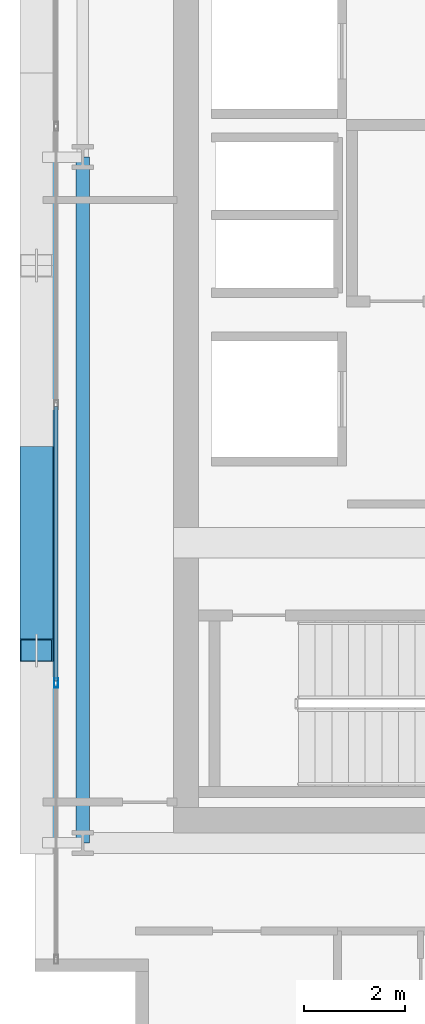
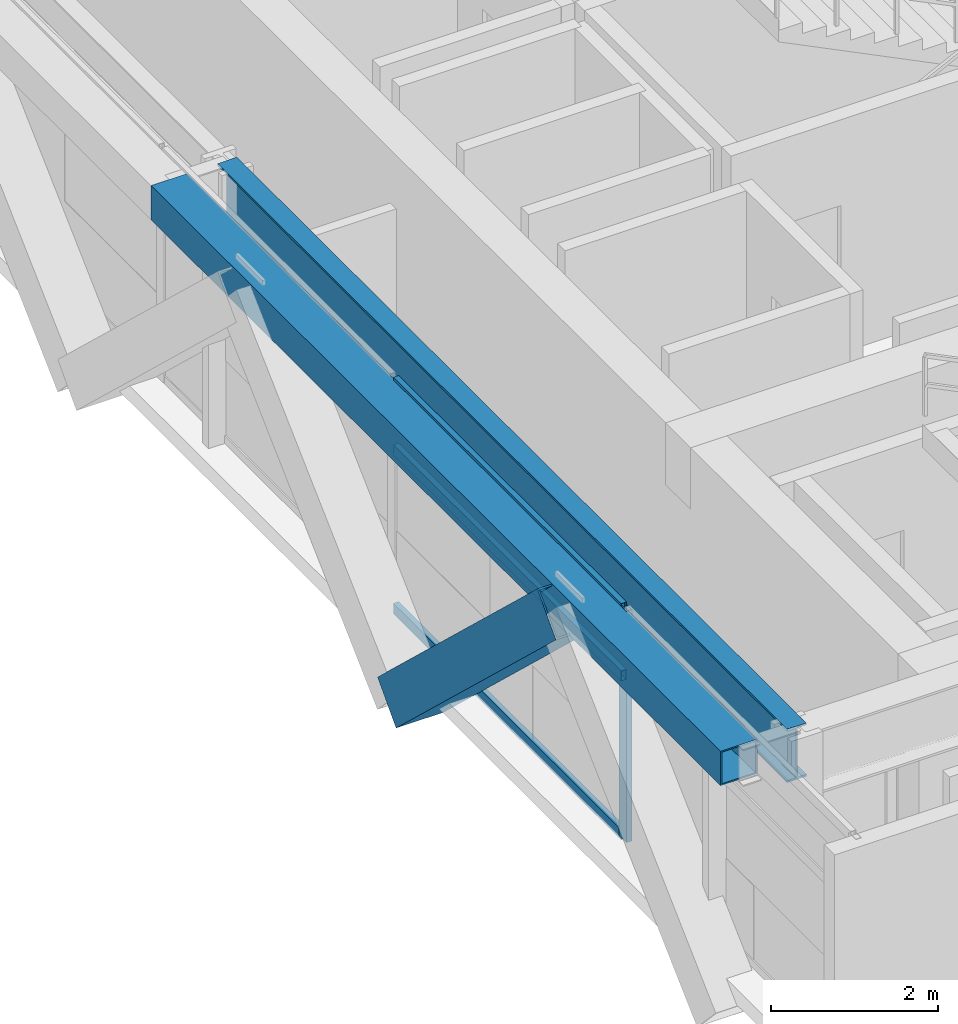
# One storey, part 4 of 31: 5 members, 2 beams, 1 element without a shape of its own.
"""IFC4 building model written with IfcOpenShell, lengths in metres."""

from ifc_helpers import new_model, si_unit, direction, frame, origin, origin_2d, place, context, subcontext, project, spatial, hollow_rectangle, i_section, extrude, source, transform, mapped, material, layer, layer_set, material_profile, profile_set, type_object, element, aggregate, save


model = new_model("IFC4")

# Units and contexts
model_context = context("Model", 3, precision=1e-05, world=origin(), true_north=direction((0.0, 1.0)))
body_context = subcontext(model_context, "Body", "Model", "MODEL_VIEW")
ifc_project = project(units=[si_unit("LENGTHUNIT", "METRE"), si_unit("AREAUNIT", "SQUARE_METRE"), si_unit("VOLUMEUNIT", "CUBIC_METRE"), si_unit("PLANEANGLEUNIT", "RADIAN"), si_unit("MASSUNIT", "GRAM", prefix="KILO")], contexts=[model_context])

# Site, building, storey
site_placement = place(None, origin())
site = spatial("IfcSite", under=ifc_project, at=site_placement, CompositionType="ELEMENT")
building_placement = place(site_placement, origin())
building = spatial("IfcBuilding", under=site, at=building_placement, Name="Ocotamira Hotel", CompositionType="ELEMENT")
storey_placement = place(building_placement, frame((0.0, 0.0, 202.800048828125)))
storey = spatial("IfcBuildingStorey", under=building, at=storey_placement, Name="L51", CompositionType="ELEMENT", Elevation=202.800048828125)

# Beams
ifc_material_1 = material(Name="Steel ASTM A992 Grade 50", Category="steel")
ifc_material_profile_1 = material_profile(ifc_material_1, i_section(OverallWidth=0.26611328125, OverallDepth=0.779052734375, WebThickness=0.0166015625, FlangeThickness=0.030029296875, FilletRadius=0.01806640625, at=origin_2d()), Name="W30X148")
ifc_profile_set_1 = profile_set([ifc_material_profile_1], Name="Steel ASTM A992 Grade 50")
beam_type_1 = type_object("IfcBeamType", Name="BM-GIRD-W30X148", PredefinedType="BEAM", material=ifc_profile_set_1)
shared_shape_1 = source(origin(), body_context, "Body", "SweptSolid", [
    extrude(i_section(OverallWidth=0.26611328125, OverallDepth=0.779052734375, WebThickness=0.0166015625, FlangeThickness=0.030029296875, FilletRadius=0.01806640625, at=origin_2d()), origin(), (0.0, 0.0, 1.0), 13.599853515625),
])
beam_1_placement = place(storey_placement, frame((8.949951171875, 14.550048828125, 2.98046875), z_axis=(0.0, 1.0, 0.0), x_axis=(-1.0, 0.0, 0.0)))
element("IfcBeam", 1, at=beam_1_placement, inside=storey, type_object=beam_type_1, Name="L51 Beam X8.95 Y14.55-28.15", PredefinedType="BEAM", context=body_context, shape_type="MappedRepresentation", body=[
    mapped(shared_shape_1, transform((0.0, 0.0, 0.0), scale=1.0)),
])
ifc_material_2 = material(Name="Steel ASTM A500 Grade C", Category="steel")
ifc_material_profile_2 = material_profile(ifc_material_2, hollow_rectangle(XDim=0.5, YDim=0.5, WallThickness=0.02001953125, at=origin_2d()), Name="HSS500X500X20")
ifc_profile_set_2 = profile_set([ifc_material_profile_2], Name="Steel ASTM A500 Grade C")
beam_type_2 = type_object("IfcBeamType", Name="BM-SPAN-HSS500", PredefinedType="USERDEFINED", material=ifc_profile_set_2)
shared_shape_2 = source(origin(), body_context, "Body", "SweptSolid", [
    extrude(hollow_rectangle(XDim=0.5, YDim=0.5, WallThickness=0.02001953125, at=origin_2d()), origin(), (0.0, 0.0, 1.0), 13.599853515625),
])
beam_2_placement = place(storey_placement, frame((8.14990234375, 14.550048828125, 3.119873046875), z_axis=(0.0, 1.0, 0.0), x_axis=(-1.0, 0.0, 0.0)))
element("IfcBeam", 2, at=beam_2_placement, inside=storey, type_object=beam_type_2, Name="L51 Edge Spandrel W Y14.55-28.15", ObjectType="SPANDREL", PredefinedType="USERDEFINED", context=body_context, shape_type="MappedRepresentation", body=[
    mapped(shared_shape_2, transform((0.0, 0.0, 0.0), scale=1.0)),
])

# Member
ifc_material_3 = material(Name="Pale-metal coated steel ASTM A913 Grade 65", Category="steel")
ifc_material_profile_3 = material_profile(ifc_material_3, hollow_rectangle(XDim=0.64990234375, YDim=0.64990234375, WallThickness=0.02197265625, at=origin_2d()), Name="BOX650X650X22")
ifc_profile_set_3 = profile_set([ifc_material_profile_3], Name="Pale-metal coated steel ASTM A913 Grade 65")
member_type_1 = type_object("IfcMemberType", Name="MEM-EXO-BOX650", PredefinedType="BRACE", material=ifc_profile_set_3)
shared_shape_3 = source(origin(), body_context, "Body", "SweptSolid", [
    extrude(hollow_rectangle(XDim=0.64990234375, YDim=0.64990234375, WallThickness=0.02197265625, at=origin_2d()), origin(), (0.0, 0.0, 1.0), 5.24658203125),
])
member_1_placement = place(storey_placement, frame((8.030029296875, 22.183349609375, -0.47998046875), z_axis=(0.0, -0.72746596067, 0.686143772154), x_axis=(1.0, 0.0, 0.0)))
element("IfcMember", 3, at=member_1_placement, inside=storey, type_object=member_type_1, Name="L51 Exoskeleton Diagrid W0.2", PredefinedType="BRACE", context=body_context, shape_type="MappedRepresentation", body=[
    mapped(shared_shape_3, transform((0.0, 0.0, 0.0), scale=1.0)),
])

# Curtain wall, members
ifc_material_4 = material(Name="Anodised pale-metal aluminium and solar glass", Category="aluminium")
ifc_layer = layer(ifc_material_4, 0.199951171875)
ifc_layer_set = layer_set([ifc_layer], Name="Anodised pale-metal aluminium and solar glass")
curtain_wall_type = type_object("IfcCurtainWallType", Name="CW-SYS4-Z3", PredefinedType="NOTDEFINED", material=ifc_layer_set)
curtain_wall_placement = place(storey_placement, origin())
curtain_wall = element("IfcCurtainWall", 4, at=curtain_wall_placement, inside=storey, type_object=curtain_wall_type, Name="L51 Curtain Wall CW-4 CW-L51-W", PredefinedType="NOTDEFINED")
ifc_material_5 = material(Name="Anodised pale-metal aluminium 6063-T6", Category="aluminium")
ifc_material_profile_4 = material_profile(ifc_material_5, hollow_rectangle(XDim=0.074951171875, YDim=0.14990234375, WallThickness=0.006103515625, at=origin_2d()), Name="HSS150X75X6")
ifc_profile_set_4 = profile_set([ifc_material_profile_4], Name="Anodised pale-metal aluminium 6063-T6")
member_type_2 = type_object("IfcMemberType", Name="CWT-150X75", PredefinedType="USERDEFINED", material=ifc_profile_set_4)
shared_shape_4 = source(origin(), body_context, "Body", "SweptSolid", [
    extrude(hollow_rectangle(XDim=0.074951171875, YDim=0.14990234375, WallThickness=0.006103515625, at=origin_2d()), origin(), (0.0, 0.0, 1.0), 5.43994140625),
])
member_2_placement = place(storey_placement, frame((8.419921875, 17.760009765625, 0.037353515625), z_axis=(0.0, 1.0, 0.0), x_axis=(-1.0, 0.0, 0.0)))
member_2 = element("IfcMember", 5, at=member_2_placement, type_object=member_type_2, Name="CW-4 transom 2.1", ObjectType="TRANSOM", PredefinedType="USERDEFINED", context=body_context, shape_type="MappedRepresentation", body=[
    mapped(shared_shape_4, transform((0.0, 0.0, 0.0), scale=1.0)),
])
member_3_placement = place(storey_placement, frame((8.419921875, 17.760009765625, 2.349853515625), z_axis=(0.0, 1.0, 0.0), x_axis=(-1.0, 0.0, 0.0)))
member_3 = element("IfcMember", 6, at=member_3_placement, type_object=member_type_2, Name="CW-4 transom 2.2", ObjectType="TRANSOM", PredefinedType="USERDEFINED", context=body_context, shape_type="MappedRepresentation", body=[
    mapped(shared_shape_4, transform((0.0, 0.0, 0.0), scale=1.0)),
])
member_4_placement = place(storey_placement, frame((8.419921875, 17.760009765625, 3.33251953125), z_axis=(0.0, 1.0, 0.0), x_axis=(-1.0, 0.0, 0.0)))
member_4 = element("IfcMember", 7, at=member_4_placement, type_object=member_type_2, Name="CW-4 transom 2.3", ObjectType="TRANSOM", PredefinedType="USERDEFINED", context=body_context, shape_type="MappedRepresentation", body=[
    mapped(shared_shape_4, transform((0.0, 0.0, 0.0), scale=1.0)),
])
ifc_material_profile_5 = material_profile(ifc_material_5, hollow_rectangle(XDim=0.080078125, YDim=0.179931640625, WallThickness=0.006103515625, at=origin_2d()), Name="HSS180X80X6")
ifc_profile_set_5 = profile_set([ifc_material_profile_5], Name="Anodised pale-metal aluminium 6063-T6")
member_type_3 = type_object("IfcMemberType", Name="CWM-180X75", PredefinedType="MULLION", material=ifc_profile_set_5)
shared_shape_5 = source(origin(), body_context, "Body", "SweptSolid", [
    extrude(hollow_rectangle(XDim=0.080078125, YDim=0.179931640625, WallThickness=0.006103515625, at=origin_2d()), origin(), (0.0, 0.0, 1.0), 3.369873046875),
])
member_5_placement = place(storey_placement, frame((8.419921875, 17.719970703125, 0.0), z_axis=(0.0, 0.0, 1.0), x_axis=(-1.0, 0.0, 0.0)))
member_5 = element("IfcMember", 8, at=member_5_placement, type_object=member_type_3, Name="CW-4 mullion 2", PredefinedType="MULLION", context=body_context, shape_type="MappedRepresentation", body=[
    mapped(shared_shape_5, transform((0.0, 0.0, 0.0), scale=1.0)),
])
aggregate(curtain_wall, [member_5, member_2, member_3, member_4])

save(model, "model.ifc")
